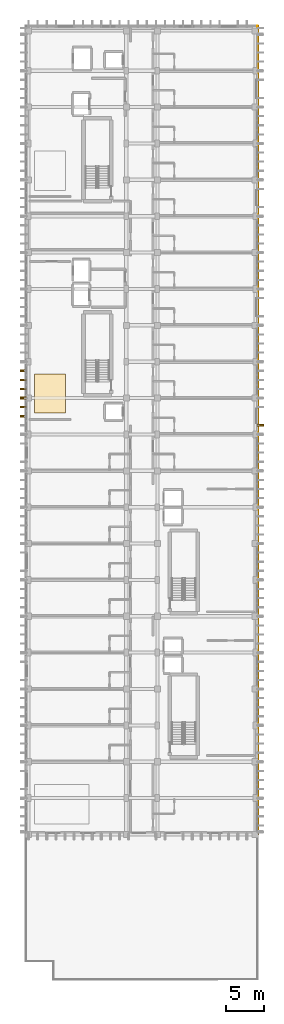
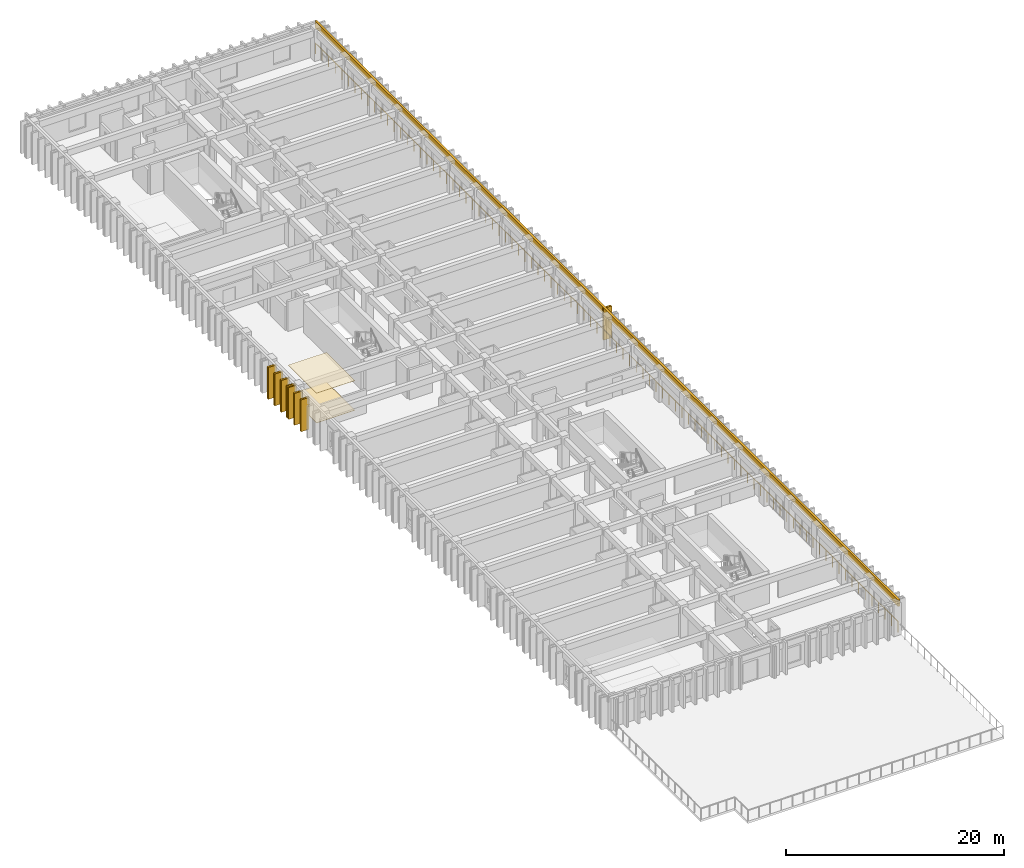
# One storey, part 77 of 82: 10 coverings, 7 shading devices, 1 railing.
"""IFC4 building model written with IfcOpenShell, lengths in metres."""

from ifc_helpers import new_model, si_unit, direction, frame, origin, origin_2d, place, context, subcontext, project, spatial, polyline, rectangle, circle, outline, extrude, material, layer, layer_set, type_object, element, save


model = new_model("IFC4")

# Units and contexts
model_context = context("Model", 3, precision=1e-05, world=origin(), true_north=direction((0.0, 1.0)))
body_context = subcontext(model_context, "Body", "Model", "MODEL_VIEW")
ifc_project = project(units=[si_unit("LENGTHUNIT", "METRE"), si_unit("AREAUNIT", "SQUARE_METRE"), si_unit("VOLUMEUNIT", "CUBIC_METRE"), si_unit("PLANEANGLEUNIT", "RADIAN"), si_unit("MASSUNIT", "GRAM", prefix="KILO")], contexts=[model_context])

# Site, building, storey
site_placement = place(None, origin())
site = spatial("IfcSite", under=ifc_project, at=site_placement, CompositionType="ELEMENT")
building_placement = place(site_placement, origin())
building = spatial("IfcBuilding", under=site, at=building_placement, Name="Nakhvara Creek Congress Hotel", CompositionType="ELEMENT")
storey_placement = place(building_placement, frame((0.0, 0.0, 21.0)))
storey = spatial("IfcBuildingStorey", under=building, at=storey_placement, Name="L04", CompositionType="ELEMENT", Elevation=21.0)

# Coverings
ifc_material_1 = material(Name="Acoustic mineral-fibre and gypsum ceiling board")
ifc_layer_1 = layer(ifc_material_1, 0.0400390625)
ifc_layer_set_1 = layer_set([ifc_layer_1], Name="Acoustic mineral-fibre and gypsum ceiling board")
covering_type_1 = type_object("IfcCoveringType", Name="COV-CEIL-AC", PredefinedType="CEILING", material=ifc_layer_set_1)
covering_1_placement = place(storey_placement, frame((0.0, 0.0, 3.304931640625)))
element("IfcCovering", 1, at=covering_1_placement, inside=storey, type_object=covering_type_1, Name="Acoustic Ceiling L04-WSV-01", PredefinedType="CEILING", context=body_context, shape_type="SweptSolid", body=[
    extrude(outline(polyline([(150.25, 74.800048828125), (154.300048828125, 74.800048828125), (154.300048828125, 80.0), (150.25, 80.0), (150.25, 74.800048828125)])), origin(), (0.0, 0.0, 1.0), 0.03515625),
])
ifc_material_2 = material(Name="Honed pale Omani limestone architectural cladding", Category="masonry")
ifc_layer_2 = layer(ifc_material_2, 0.219970703125)
ifc_layer_set_2 = layer_set([ifc_layer_2], Name="Honed pale Omani limestone architectural cladding")
covering_type_2 = type_object("IfcCoveringType", Name="COV-FIN-850", PredefinedType="CLADDING", material=ifc_layer_set_2)
for number, where, z_axis, x_axis, name in (
    (2, (180.054931640625, 73.199951171875, 0.0), (0.0, 0.0, 1.0), (0.0, 1.0, 0.0), "Pale Limestone Fin Cladding CF01-1287"),
    (3, (148.7451171875, 74.39990234375, 0.0), (0.0, 0.0, 1.0), (0.0, 1.0, 0.0), "Pale Limestone Fin Cladding CF01-1289"),
    (4, (148.7451171875, 75.60009765625, 0.0), (0.0, 0.0, 1.0), (0.0, 1.0, 0.0), "Pale Limestone Fin Cladding CF01-1291"),
):
    element("IfcCovering", number, at=place(storey_placement, frame(where, z_axis=z_axis, x_axis=x_axis)), inside=storey, type_object=covering_type_2, Name=name, PredefinedType="CLADDING", context=body_context, shape_type="SweptSolid", body=[
        extrude(rectangle(XDim=0.219970703125, YDim=0.85009765625, at=origin_2d()), origin(), (0.0, 0.0, 1.0), 3.56005859375),
    ])
covering_2_placement = place(storey_placement, frame((148.7451171875, 76.800048828125, 0.0), z_axis=(0.0, 0.0, 1.0), x_axis=(0.0, 1.0, 0.0)))
element("IfcCovering", 5, at=covering_2_placement, inside=storey, type_object=covering_type_2, Name="Pale Limestone Fin Cladding CF01-1293", PredefinedType="CLADDING", context=body_context, shape_type="SweptSolid", body=[
    extrude(rectangle(XDim=0.43994140625, YDim=0.85009765625, at=origin_2d()), origin(), (0.0, 0.0, 1.0), 3.56005859375),
])
for number, where, z_axis, x_axis, name in (
    (6, (148.7451171875, 78.0, 0.0), (0.0, 0.0, 1.0), (0.0, 1.0, 0.0), "Pale Limestone Fin Cladding CF01-1295"),
    (7, (148.7451171875, 79.199951171875, 0.0), (0.0, 0.0, 1.0), (0.0, 1.0, 0.0), "Pale Limestone Fin Cladding CF01-1297"),
    (8, (148.7451171875, 80.39990234375, 0.0), (0.0, 0.0, 1.0), (0.0, 1.0, 0.0), "Pale Limestone Fin Cladding CF01-1299"),
):
    element("IfcCovering", number, at=place(storey_placement, frame(where, z_axis=z_axis, x_axis=x_axis)), inside=storey, type_object=covering_type_2, Name=name, PredefinedType="CLADDING", context=body_context, shape_type="SweptSolid", body=[
        extrude(rectangle(XDim=0.219970703125, YDim=0.85009765625, at=origin_2d()), origin(), (0.0, 0.0, 1.0), 3.56005859375),
    ])
ifc_material_3 = material(Name="Honed limestone and terrazzo acoustic floor finish", Category="masonry")
ifc_layer_3 = layer(ifc_material_3, 0.044921875)
ifc_layer_set_3 = layer_set([ifc_layer_3], Name="Honed limestone and terrazzo acoustic floor finish")
covering_type_3 = type_object("IfcCoveringType", Name="COV-FLR-TER", PredefinedType="FLOORING", material=ifc_layer_set_3)
covering_3_placement = place(storey_placement, origin())
element("IfcCovering", 9, at=covering_3_placement, inside=storey, type_object=covering_type_3, Name="Floor Finish L04-WSV-01", PredefinedType="FLOORING", context=body_context, shape_type="SweptSolid", body=[
    extrude(outline(polyline([(150.25, 74.800048828125), (154.300048828125, 74.800048828125), (154.300048828125, 80.0), (150.25, 80.0), (150.25, 74.800048828125)])), origin(), (0.0, 0.0, 1.0), 0.030029296875),
])
ifc_layer_4 = layer(ifc_material_2, 0.179931640625)
ifc_layer_set_4 = layer_set([ifc_layer_4], Name="Honed pale Omani limestone architectural cladding")
covering_type_4 = type_object("IfcCoveringType", Name="COV-SPN-180", PredefinedType="CLADDING", material=ifc_layer_set_4)
covering_4_placement = place(storey_placement, frame((179.739990234375, 72.60009765625, 2.909912109375), z_axis=(0.0, 0.0, 1.0), x_axis=(0.0, 1.0, 0.0)))
element("IfcCovering", 10, at=covering_4_placement, inside=storey, type_object=covering_type_4, Name="Pale Limestone Spandrel Band CF02-0057", PredefinedType="CLADDING", context=body_context, shape_type="SweptSolid", body=[
    extrude(rectangle(XDim=106.800048828125, YDim=0.219970703125, at=origin_2d()), origin(), (0.0, 0.0, 1.0), 0.72998046875),
])

# Railing
ifc_material_4 = material(Name="Brushed stainless steel 316L", Category="steel")
railing_type = type_object("IfcRailingType", Name="RL-GUARD-1200", PredefinedType="GUARDRAIL", material=ifc_material_4)
railing_placement = place(storey_placement, frame((179.669921875, 19.280029296875, 0.0)))
element("IfcRailing", 11, at=railing_placement, inside=storey, type_object=railing_type, Name="Perimeter Safety Rail East L04", PredefinedType="GUARDRAIL", context=body_context, shape_type="SweptSolid", body=[
    extrude(circle(Radius=0.02392578125, at=origin_2d()), frame((0.0, 0.0146484375, 1.17578125), z_axis=(0.0, 1.0, 0.0), x_axis=(-1.0, 0.0, 0.0)), (0.0, 0.0, 1.0), 106.610595703125),
    extrude(circle(Radius=0.02099609375, at=origin_2d()), origin(), (0.0, 0.0, 1.0), 1.1806640625),
    extrude(circle(Radius=0.02099609375, at=origin_2d()), frame((0.0, 1.1982421875, 0.0)), (0.0, 0.0, 1.0), 1.1806640625),
    extrude(circle(Radius=0.02099609375, at=origin_2d()), frame((0.0, 2.396484375, 0.0)), (0.0, 0.0, 1.0), 1.1806640625),
    extrude(circle(Radius=0.02099609375, at=origin_2d()), frame((0.0, 3.594482421875, 0.0)), (0.0, 0.0, 1.0), 1.1806640625),
    extrude(circle(Radius=0.02099609375, at=origin_2d()), frame((0.0, 4.792724609375, 0.0)), (0.0, 0.0, 1.0), 1.1806640625),
    extrude(circle(Radius=0.02099609375, at=origin_2d()), frame((0.0, 5.990966796875, 0.0)), (0.0, 0.0, 1.0), 1.1806640625),
    extrude(circle(Radius=0.02099609375, at=origin_2d()), frame((0.0, 7.189208984375, 0.0)), (0.0, 0.0, 1.0), 1.1806640625),
    extrude(circle(Radius=0.02099609375, at=origin_2d()), frame((0.0, 8.387451171875, 0.0)), (0.0, 0.0, 1.0), 1.1806640625),
    extrude(circle(Radius=0.02099609375, at=origin_2d()), frame((0.0, 9.585693359375, 0.0)), (0.0, 0.0, 1.0), 1.1806640625),
    extrude(circle(Radius=0.02099609375, at=origin_2d()), frame((0.0, 10.78369140625, 0.0)), (0.0, 0.0, 1.0), 1.1806640625),
    extrude(circle(Radius=0.02099609375, at=origin_2d()), frame((0.0, 11.98193359375, 0.0)), (0.0, 0.0, 1.0), 1.1806640625),
    extrude(circle(Radius=0.02099609375, at=origin_2d()), frame((0.0, 13.18017578125, 0.0)), (0.0, 0.0, 1.0), 1.1806640625),
    extrude(circle(Radius=0.02099609375, at=origin_2d()), frame((0.0, 14.37841796875, 0.0)), (0.0, 0.0, 1.0), 1.1806640625),
    extrude(circle(Radius=0.02099609375, at=origin_2d()), frame((0.0, 15.57666015625, 0.0)), (0.0, 0.0, 1.0), 1.1806640625),
    extrude(circle(Radius=0.02099609375, at=origin_2d()), frame((0.0, 16.77490234375, 0.0)), (0.0, 0.0, 1.0), 1.1806640625),
    extrude(circle(Radius=0.02099609375, at=origin_2d()), frame((0.0, 17.972900390625, 0.0)), (0.0, 0.0, 1.0), 1.1806640625),
    extrude(circle(Radius=0.02099609375, at=origin_2d()), frame((0.0, 19.171142578125, 0.0)), (0.0, 0.0, 1.0), 1.1806640625),
    extrude(circle(Radius=0.02099609375, at=origin_2d()), frame((0.0, 20.369384765625, 0.0)), (0.0, 0.0, 1.0), 1.1806640625),
    extrude(circle(Radius=0.02099609375, at=origin_2d()), frame((0.0, 21.567626953125, 0.0)), (0.0, 0.0, 1.0), 1.1806640625),
    extrude(circle(Radius=0.02099609375, at=origin_2d()), frame((0.0, 22.765869140625, 0.0)), (0.0, 0.0, 1.0), 1.1806640625),
    extrude(circle(Radius=0.02099609375, at=origin_2d()), frame((0.0, 23.964111328125, 0.0)), (0.0, 0.0, 1.0), 1.1806640625),
    extrude(circle(Radius=0.02099609375, at=origin_2d()), frame((0.0, 25.162109375, 0.0)), (0.0, 0.0, 1.0), 1.1806640625),
    extrude(circle(Radius=0.02099609375, at=origin_2d()), frame((0.0, 26.3603515625, 0.0)), (0.0, 0.0, 1.0), 1.1806640625),
    extrude(circle(Radius=0.02099609375, at=origin_2d()), frame((0.0, 27.55859375, 0.0)), (0.0, 0.0, 1.0), 1.1806640625),
    extrude(circle(Radius=0.02099609375, at=origin_2d()), frame((0.0, 28.7568359375, 0.0)), (0.0, 0.0, 1.0), 1.1806640625),
    extrude(circle(Radius=0.02099609375, at=origin_2d()), frame((0.0, 29.955078125, 0.0)), (0.0, 0.0, 1.0), 1.1806640625),
    extrude(circle(Radius=0.02099609375, at=origin_2d()), frame((0.0, 31.1533203125, 0.0)), (0.0, 0.0, 1.0), 1.1806640625),
    extrude(circle(Radius=0.02099609375, at=origin_2d()), frame((0.0, 32.351318359375, 0.0)), (0.0, 0.0, 1.0), 1.1806640625),
    extrude(circle(Radius=0.02099609375, at=origin_2d()), frame((0.0, 33.549560546875, 0.0)), (0.0, 0.0, 1.0), 1.1806640625),
    extrude(circle(Radius=0.02099609375, at=origin_2d()), frame((0.0, 34.747802734375, 0.0)), (0.0, 0.0, 1.0), 1.1806640625),
    extrude(circle(Radius=0.02099609375, at=origin_2d()), frame((0.0, 35.946044921875, 0.0)), (0.0, 0.0, 1.0), 1.1806640625),
    extrude(circle(Radius=0.02099609375, at=origin_2d()), frame((0.0, 37.144287109375, 0.0)), (0.0, 0.0, 1.0), 1.1806640625),
    extrude(circle(Radius=0.02099609375, at=origin_2d()), frame((0.0, 38.342529296875, 0.0)), (0.0, 0.0, 1.0), 1.1806640625),
    extrude(circle(Radius=0.02099609375, at=origin_2d()), frame((0.0, 39.54052734375, 0.0)), (0.0, 0.0, 1.0), 1.1806640625),
    extrude(circle(Radius=0.02099609375, at=origin_2d()), frame((0.0, 40.73876953125, 0.0)), (0.0, 0.0, 1.0), 1.1806640625),
    extrude(circle(Radius=0.02099609375, at=origin_2d()), frame((0.0, 41.93701171875, 0.0)), (0.0, 0.0, 1.0), 1.1806640625),
    extrude(circle(Radius=0.02099609375, at=origin_2d()), frame((0.0, 43.13525390625, 0.0)), (0.0, 0.0, 1.0), 1.1806640625),
    extrude(circle(Radius=0.02099609375, at=origin_2d()), frame((0.0, 44.33349609375, 0.0)), (0.0, 0.0, 1.0), 1.1806640625),
    extrude(circle(Radius=0.02099609375, at=origin_2d()), frame((0.0, 45.53173828125, 0.0)), (0.0, 0.0, 1.0), 1.1806640625),
    extrude(circle(Radius=0.02099609375, at=origin_2d()), frame((0.0, 46.729736328125, 0.0)), (0.0, 0.0, 1.0), 1.1806640625),
    extrude(circle(Radius=0.02099609375, at=origin_2d()), frame((0.0, 47.927978515625, 0.0)), (0.0, 0.0, 1.0), 1.1806640625),
    extrude(circle(Radius=0.02099609375, at=origin_2d()), frame((0.0, 49.126220703125, 0.0)), (0.0, 0.0, 1.0), 1.1806640625),
    extrude(circle(Radius=0.02099609375, at=origin_2d()), frame((0.0, 50.324462890625, 0.0)), (0.0, 0.0, 1.0), 1.1806640625),
    extrude(circle(Radius=0.02099609375, at=origin_2d()), frame((0.0, 51.522705078125, 0.0)), (0.0, 0.0, 1.0), 1.1806640625),
    extrude(circle(Radius=0.02099609375, at=origin_2d()), frame((0.0, 52.720947265625, 0.0)), (0.0, 0.0, 1.0), 1.1806640625),
    extrude(circle(Radius=0.02099609375, at=origin_2d()), frame((0.0, 53.9189453125, 0.0)), (0.0, 0.0, 1.0), 1.1806640625),
    extrude(circle(Radius=0.02099609375, at=origin_2d()), frame((0.0, 55.1171875, 0.0)), (0.0, 0.0, 1.0), 1.1806640625),
    extrude(circle(Radius=0.02099609375, at=origin_2d()), frame((0.0, 56.3154296875, 0.0)), (0.0, 0.0, 1.0), 1.1806640625),
    extrude(circle(Radius=0.02099609375, at=origin_2d()), frame((0.0, 57.513671875, 0.0)), (0.0, 0.0, 1.0), 1.1806640625),
    extrude(circle(Radius=0.02099609375, at=origin_2d()), frame((0.0, 58.7119140625, 0.0)), (0.0, 0.0, 1.0), 1.1806640625),
    extrude(circle(Radius=0.02099609375, at=origin_2d()), frame((0.0, 59.91015625, 0.0)), (0.0, 0.0, 1.0), 1.1806640625),
    extrude(circle(Radius=0.02099609375, at=origin_2d()), frame((0.0, 61.108154296875, 0.0)), (0.0, 0.0, 1.0), 1.1806640625),
    extrude(circle(Radius=0.02099609375, at=origin_2d()), frame((0.0, 62.306396484375, 0.0)), (0.0, 0.0, 1.0), 1.1806640625),
    extrude(circle(Radius=0.02099609375, at=origin_2d()), frame((0.0, 63.504638671875, 0.0)), (0.0, 0.0, 1.0), 1.1806640625),
    extrude(circle(Radius=0.02099609375, at=origin_2d()), frame((0.0, 64.702880859375, 0.0)), (0.0, 0.0, 1.0), 1.1806640625),
    extrude(circle(Radius=0.02099609375, at=origin_2d()), frame((0.0, 65.901123046875, 0.0)), (0.0, 0.0, 1.0), 1.1806640625),
    extrude(circle(Radius=0.02099609375, at=origin_2d()), frame((0.0, 67.099365234375, 0.0)), (0.0, 0.0, 1.0), 1.1806640625),
    extrude(circle(Radius=0.02099609375, at=origin_2d()), frame((0.0, 68.29736328125, 0.0)), (0.0, 0.0, 1.0), 1.1806640625),
    extrude(circle(Radius=0.02099609375, at=origin_2d()), frame((0.0, 69.49560546875, 0.0)), (0.0, 0.0, 1.0), 1.1806640625),
    extrude(circle(Radius=0.02099609375, at=origin_2d()), frame((0.0, 70.69384765625, 0.0)), (0.0, 0.0, 1.0), 1.1806640625),
    extrude(circle(Radius=0.02099609375, at=origin_2d()), frame((0.0, 71.89208984375, 0.0)), (0.0, 0.0, 1.0), 1.1806640625),
    extrude(circle(Radius=0.02099609375, at=origin_2d()), frame((0.0, 73.09033203125, 0.0)), (0.0, 0.0, 1.0), 1.1806640625),
    extrude(circle(Radius=0.02099609375, at=origin_2d()), frame((0.0, 74.28857421875, 0.0)), (0.0, 0.0, 1.0), 1.1806640625),
    extrude(circle(Radius=0.02099609375, at=origin_2d()), frame((0.0, 75.486572265625, 0.0)), (0.0, 0.0, 1.0), 1.1806640625),
    extrude(circle(Radius=0.02099609375, at=origin_2d()), frame((0.0, 76.684814453125, 0.0)), (0.0, 0.0, 1.0), 1.1806640625),
    extrude(circle(Radius=0.02099609375, at=origin_2d()), frame((0.0, 77.883056640625, 0.0)), (0.0, 0.0, 1.0), 1.1806640625),
    extrude(circle(Radius=0.02099609375, at=origin_2d()), frame((0.0, 79.081298828125, 0.0)), (0.0, 0.0, 1.0), 1.1806640625),
    extrude(circle(Radius=0.02099609375, at=origin_2d()), frame((0.0, 80.279541015625, 0.0)), (0.0, 0.0, 1.0), 1.1806640625),
    extrude(circle(Radius=0.02099609375, at=origin_2d()), frame((0.0, 81.477783203125, 0.0)), (0.0, 0.0, 1.0), 1.1806640625),
    extrude(circle(Radius=0.02099609375, at=origin_2d()), frame((0.0, 82.67578125, 0.0)), (0.0, 0.0, 1.0), 1.1806640625),
    extrude(circle(Radius=0.02099609375, at=origin_2d()), frame((0.0, 83.8740234375, 0.0)), (0.0, 0.0, 1.0), 1.1806640625),
    extrude(circle(Radius=0.02099609375, at=origin_2d()), frame((0.0, 85.072265625, 0.0)), (0.0, 0.0, 1.0), 1.1806640625),
    extrude(circle(Radius=0.02099609375, at=origin_2d()), frame((0.0, 86.2705078125, 0.0)), (0.0, 0.0, 1.0), 1.1806640625),
    extrude(circle(Radius=0.02099609375, at=origin_2d()), frame((0.0, 87.46875, 0.0)), (0.0, 0.0, 1.0), 1.1806640625),
    extrude(circle(Radius=0.02099609375, at=origin_2d()), frame((0.0, 88.6669921875, 0.0)), (0.0, 0.0, 1.0), 1.1806640625),
    extrude(circle(Radius=0.02099609375, at=origin_2d()), frame((0.0, 89.864990234375, 0.0)), (0.0, 0.0, 1.0), 1.1806640625),
    extrude(circle(Radius=0.02099609375, at=origin_2d()), frame((0.0, 91.063232421875, 0.0)), (0.0, 0.0, 1.0), 1.1806640625),
    extrude(circle(Radius=0.02099609375, at=origin_2d()), frame((0.0, 92.261474609375, 0.0)), (0.0, 0.0, 1.0), 1.1806640625),
    extrude(circle(Radius=0.02099609375, at=origin_2d()), frame((0.0, 93.459716796875, 0.0)), (0.0, 0.0, 1.0), 1.1806640625),
    extrude(circle(Radius=0.02099609375, at=origin_2d()), frame((0.0, 94.657958984375, 0.0)), (0.0, 0.0, 1.0), 1.1806640625),
    extrude(circle(Radius=0.02099609375, at=origin_2d()), frame((0.0, 95.856201171875, 0.0)), (0.0, 0.0, 1.0), 1.1806640625),
    extrude(circle(Radius=0.02099609375, at=origin_2d()), frame((0.0, 97.05419921875, 0.0)), (0.0, 0.0, 1.0), 1.1806640625),
    extrude(circle(Radius=0.02099609375, at=origin_2d()), frame((0.0, 98.25244140625, 0.0)), (0.0, 0.0, 1.0), 1.1806640625),
    extrude(circle(Radius=0.02099609375, at=origin_2d()), frame((0.0, 99.45068359375, 0.0)), (0.0, 0.0, 1.0), 1.1806640625),
    extrude(circle(Radius=0.02099609375, at=origin_2d()), frame((0.0, 100.64892578125, 0.0)), (0.0, 0.0, 1.0), 1.1806640625),
    extrude(circle(Radius=0.02099609375, at=origin_2d()), frame((0.0, 101.84716796875, 0.0)), (0.0, 0.0, 1.0), 1.1806640625),
    extrude(circle(Radius=0.02099609375, at=origin_2d()), frame((0.0, 103.04541015625, 0.0)), (0.0, 0.0, 1.0), 1.1806640625),
    extrude(circle(Radius=0.02099609375, at=origin_2d()), frame((0.0, 104.243408203125, 0.0)), (0.0, 0.0, 1.0), 1.1806640625),
    extrude(circle(Radius=0.02099609375, at=origin_2d()), frame((0.0, 105.441650390625, 0.0)), (0.0, 0.0, 1.0), 1.1806640625),
    extrude(circle(Radius=0.02099609375, at=origin_2d()), frame((0.0, 106.639892578125, 0.0)), (0.0, 0.0, 1.0), 1.1806640625),
])

# Shading devices
ifc_material_5 = material(Name="Honed pale Omani limestone cladding on stainless steel spine", Category="masonry")
shading_device_type = type_object("IfcShadingDeviceType", Name="SHD-FIN-850X3600", PredefinedType="USERDEFINED", material=ifc_material_5)
for number, where, z_axis, x_axis, name in (
    (12, (180.054931640625, 73.199951171875, 0.0), (0.0, 0.0, 1.0), (0.0, 1.0, 0.0), "Limestone Solar Fin FN01-1152"),
    (13, (148.7451171875, 74.39990234375, 0.0), (0.0, 0.0, 1.0), (0.0, 1.0, 0.0), "Limestone Solar Fin FN01-1154"),
    (14, (148.7451171875, 75.60009765625, 0.0), (0.0, 0.0, 1.0), (0.0, 1.0, 0.0), "Limestone Solar Fin FN01-1156"),
    (15, (148.7451171875, 76.800048828125, 0.0), (0.0, 0.0, 1.0), (0.0, 1.0, 0.0), "Limestone Solar Fin FN01-1158"),
    (16, (148.7451171875, 78.0, 0.0), (0.0, 0.0, 1.0), (0.0, 1.0, 0.0), "Limestone Solar Fin FN01-1160"),
    (17, (148.7451171875, 79.199951171875, 0.0), (0.0, 0.0, 1.0), (0.0, 1.0, 0.0), "Limestone Solar Fin FN01-1162"),
    (18, (148.7451171875, 80.39990234375, 0.0), (0.0, 0.0, 1.0), (0.0, 1.0, 0.0), "Limestone Solar Fin FN01-1164"),
):
    element("IfcShadingDevice", number, at=place(storey_placement, frame(where, z_axis=z_axis, x_axis=x_axis)), inside=storey, type_object=shading_device_type, Name=name, ObjectType="FIN", PredefinedType="USERDEFINED", context=body_context, shape_type="SweptSolid", body=[
        extrude(rectangle(XDim=0.179931640625, YDim=0.85009765625, at=origin_2d()), origin(), (0.0, 0.0, 1.0), 3.56005859375),
    ])

save(model, "model.ifc")
